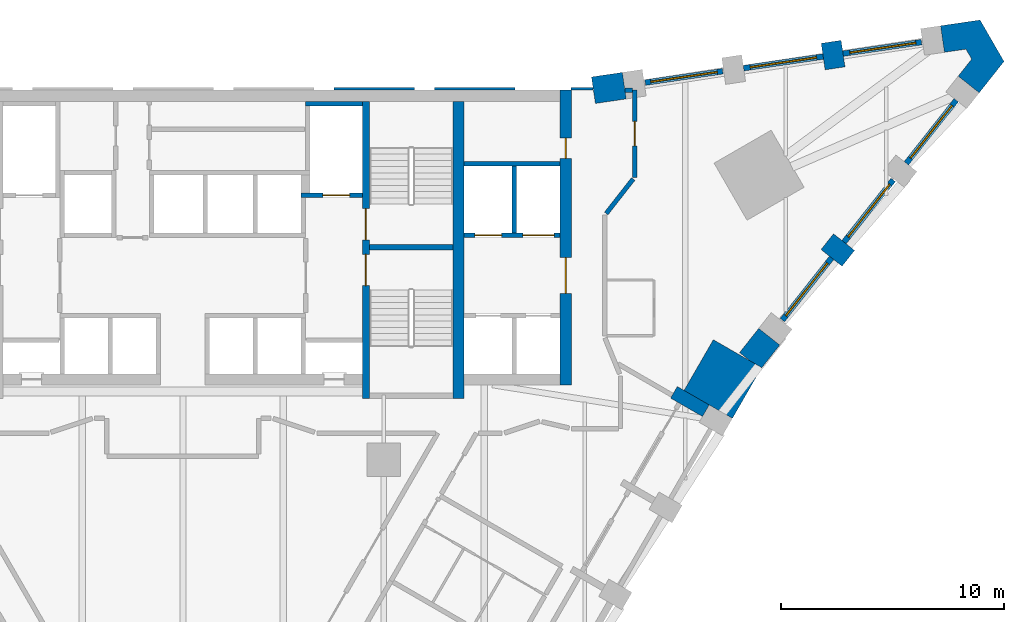
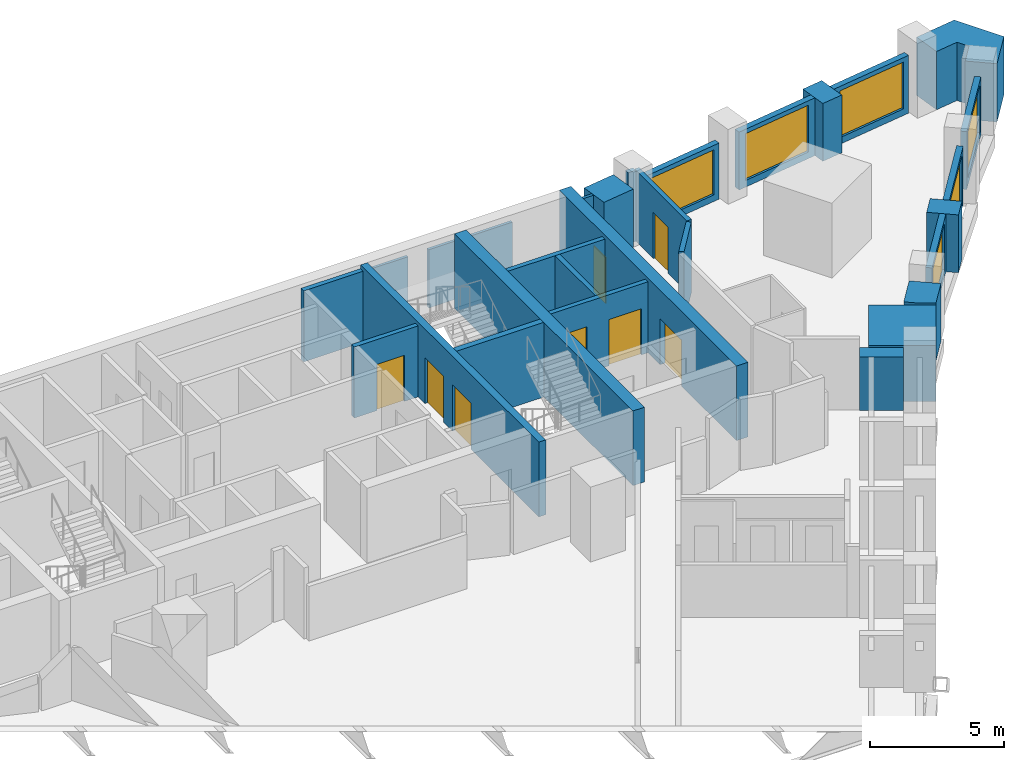
# One storey, part 8 of 10: 28 walls, 8 doors, 6 windows, 14 openings.
"""IFC4 building model written with IfcOpenShell, lengths in metres."""

from ifc_helpers import new_model, si_unit, direction, frame, frame_2d, origin, place, context, subcontext, project, spatial, polyline, rectangle, outline, extrude, material, layer, layer_set, type_object, element, fill, save


model = new_model("IFC4")

# Units and contexts
model_context = context("Model", 3, precision=1e-05, world=origin(), true_north=direction((0.0, 1.0)))
body_context = subcontext(model_context, "Body", "Model", "MODEL_VIEW")
ifc_project = project(units=[si_unit("LENGTHUNIT", "METRE"), si_unit("AREAUNIT", "SQUARE_METRE"), si_unit("VOLUMEUNIT", "CUBIC_METRE"), si_unit("PLANEANGLEUNIT", "RADIAN"), si_unit("MASSUNIT", "GRAM", prefix="KILO")], contexts=[model_context])

# Site, building, storey
site_placement = place(None, origin())
site = spatial("IfcSite", under=ifc_project, at=site_placement, CompositionType="ELEMENT")
building_placement = place(site_placement, origin())
building = spatial("IfcBuilding", under=site, at=building_placement, Name="Calabash Gate Tower", CompositionType="ELEMENT")
storey_placement = place(building_placement, frame((0.0, 0.0, 105.39990234375)))
storey = spatial("IfcBuildingStorey", under=building, at=storey_placement, Name="L23", CompositionType="ELEMENT", Elevation=105.39990234375)

# Walls
ifc_material_1 = material(Name="Terracotta brick masonry, exposed face", Category="masonry")
ifc_layer_1 = layer(ifc_material_1, 2.5)
ifc_layer_set_1 = layer_set([ifc_layer_1], Name="Brick corner mass wall 2500")
wall_type_1 = type_object("IfcWallType", Name="Brick corner mass wall 2500", PredefinedType="SOLIDWALL", material=ifc_layer_set_1)
wall_1_placement = place(storey_placement, origin())
element("IfcWall", 1, at=wall_1_placement, inside=storey, type_object=wall_type_1, Name="Brick corner pier S06 2", PredefinedType="SOLIDWALL", context=body_context, shape_type="SweptSolid", body=[
    extrude(outline(polyline([(23.7578125, 7.878173828125), (22.44677734375, 5.607177734375), (24.61181640625, 4.357177734375), (25.9228515625, 6.628173828125), (23.7578125, 7.878173828125)])), origin(), (0.0, 0.0, 1.0), 2.552001953125),
])
ifc_material_2 = material(Name="Terracotta brick masonry, exposed face", Category="masonry")
ifc_layer_2 = layer(ifc_material_2, 1.199951171875)
ifc_layer_set_2 = layer_set([ifc_layer_2], Name="Brick end wall 1200")
wall_type_2 = type_object("IfcWallType", Name="Brick end wall 1200", PredefinedType="SOLIDWALL", material=ifc_layer_set_2)
for number, where, z_axis, x_axis, name in (
    (2, (29.801513671875, 11.5224609375, 0.0), (0.0, 0.0, 1.0), (-0.784330409431, 0.620343299184, 0.0), "Brick pier S06 wedge3.1"),
    (3, (29.03369140625, 21.217041015625, 0.0), (0.0, 0.0, 1.0), (0.145066385332, -0.989421924078, 0.0), "Brick pier S06 wedge5.1"),
):
    element("IfcWall", number, at=place(storey_placement, frame(where, z_axis=z_axis, x_axis=x_axis)), inside=storey, type_object=wall_type_2, Name=name, PredefinedType="SOLIDWALL", context=body_context, shape_type="SweptSolid", body=[
        extrude(rectangle(XDim=1.199951171875, YDim=0.89990234375, at=frame_2d((0.60009765625, 0.0))), origin(), (0.0, 0.0, 1.0), 2.630126953125),
    ])
wall_2_placement = place(storey_placement, origin())
element("IfcWall", 4, at=wall_2_placement, inside=storey, type_object=wall_type_2, Name="Brick end wall S06 1", PredefinedType="SOLIDWALL", context=body_context, shape_type="SweptSolid", body=[
    extrude(outline(polyline([(25.789794921875, 8.38427734375), (24.9326171875, 7.30029296875), (25.4033203125, 6.92822265625), (25.9228515625, 6.628173828125), (25.901123046875, 6.59033203125), (26.731201171875, 7.639892578125), (25.789794921875, 8.38427734375)])), origin(), (0.0, 0.0, 1.0), 2.630126953125),
])
wall_3_placement = place(storey_placement, origin())
element("IfcWall", 5, at=wall_3_placement, inside=storey, type_object=wall_type_2, Name="Brick end wall S06 2", PredefinedType="SOLIDWALL", context=body_context, shape_type="SweptSolid", body=[
    extrude(outline(polyline([(35.32666015625, 20.443359375), (34.72216796875, 19.678955078125), (35.66357421875, 18.934814453125), (36.773193359375, 20.337890625), (35.701416015625, 22.1943359375), (33.931396484375, 21.934814453125), (34.105224609375, 20.74755859375), (35.069580078125, 20.888916015625), (35.32666015625, 20.443359375)])), origin(), (0.0, 0.0, 1.0), 2.650146484375),
])
wall_4_placement = place(storey_placement, frame((18.38916015625, 19.050537109375, 0.0), z_axis=(0.0, 0.0, 1.0), x_axis=(0.989435994601, 0.144970385211, 0.0)))
element("IfcWall", 6, at=wall_4_placement, inside=storey, type_object=wall_type_2, Name="Brick end wall S06 3", PredefinedType="SOLIDWALL", context=body_context, shape_type="SweptSolid", body=[
    extrude(rectangle(XDim=1.39599609375, YDim=1.199951171875, at=frame_2d((0.697998046875, 0.0))), origin(), (0.0, 0.0, 1.0), 2.650146484375),
])
ifc_material_3 = material(Name="Terracotta brick masonry, exposed face", Category="masonry")
ifc_layer_3 = layer(ifc_material_3, 0.300048828125)
ifc_layer_set_3 = layer_set([ifc_layer_3], Name="Brick loggia cheek wall 300")
wall_type_3 = type_object("IfcWallType", Name="Brick loggia cheek wall 300", PredefinedType="SOLIDWALL", material=ifc_layer_set_3)
wall_5_placement = place(storey_placement, frame((23.422607421875, 4.697265625, 0.0), z_axis=(0.0, 0.0, 1.0), x_axis=(-0.865976140824, 0.500085316245, 0.0)))
element("IfcWall", 7, at=wall_5_placement, inside=storey, type_object=wall_type_3, Name="Loggia cheek S06 SE2.8", PredefinedType="SOLIDWALL", context=body_context, shape_type="SweptSolid", body=[
    extrude(rectangle(XDim=1.650146484375, YDim=0.60009765625, at=frame_2d((0.8251953125, 0.0))), origin(), (0.0, 0.0, 1.0), 2.4501953125),
])
ifc_material_4 = material(Name="Concrete C80/95", Category="concrete")
ifc_layer_4 = layer(ifc_material_4, 0.25)
ifc_layer_set_4 = layer_set([ifc_layer_4], Name="Core wall 250 Concrete C80/95")
wall_type_4 = type_object("IfcWallType", Name="Core wall 250 Concrete C80/95", PredefinedType="SHEAR", material=ifc_layer_set_4)
wall_6_placement = place(storey_placement, frame((8.35009765625, 12.027587890625, 0.0), z_axis=(0.0, 0.0, 1.0), x_axis=(1.0, 0.0, 0.0)))
element("IfcWall", 8, at=wall_6_placement, inside=storey, type_object=wall_type_4, Name="Core wall Z2-MIDE L23", PredefinedType="SHEAR", context=body_context, shape_type="SweptSolid", body=[
    extrude(rectangle(XDim=3.75, YDim=0.25, at=frame_2d((1.875, 0.0))), origin(), (0.0, 0.0, 1.0), 3.400146484375),
])

# Wall, openings, doors
ifc_material_5 = material(Name="Concrete C80/95", Category="concrete")
ifc_layer_5 = layer(ifc_material_5, 0.300048828125)
ifc_layer_set_5 = layer_set([ifc_layer_5], Name="Core wall 300 Concrete C80/95")
wall_type_5 = type_object("IfcWallType", Name="Core wall 300 Concrete C80/95", PredefinedType="SHEAR", material=ifc_layer_set_5)
wall_7_placement = place(storey_placement, frame((8.199951171875, 5.252685546875, 0.0), z_axis=(0.0, 0.0, 1.0), x_axis=(0.0, 1.0, 0.0)))
wall_7 = element("IfcWall", 9, at=wall_7_placement, inside=storey, type_object=wall_type_5, Name="Core wall Z2-PARTE L23", PredefinedType="SHEAR", context=body_context, shape_type="SweptSolid", body=[
    extrude(rectangle(XDim=13.2998046875, YDim=0.300048828125, at=frame_2d((6.64990234375, 0.0))), origin(), (0.0, 0.0, 1.0), 3.400146484375),
])
opening_1_placement = place(wall_7_placement, frame((7.10009765625, 0.0, 0.0)))
opening_1 = element("IfcOpeningElement", 10, at=opening_1_placement, cuts=wall_7, Name="Opening H6-015", PredefinedType="OPENING", context=body_context, shape_type="SweptSolid", body=[
    extrude(rectangle(XDim=1.39990234375, YDim=2.10009765625, at=frame_2d((0.699951171875, 1.050048828125))), frame((0.0, 0.159912109375, 0.0), z_axis=(0.0, -1.0, 0.0), x_axis=(1.0, 0.0, 0.0)), (0.0, 0.0, 1.0), 0.320068359375),
])
opening_2_placement = place(wall_7_placement, frame((5.050048828125, 0.0, 0.0)))
opening_2 = element("IfcOpeningElement", 11, at=opening_2_placement, cuts=wall_7, Name="Opening H6-016", PredefinedType="OPENING", context=body_context, shape_type="SweptSolid", body=[
    extrude(rectangle(XDim=1.39990234375, YDim=2.10009765625, at=frame_2d((0.699951171875, 1.050048828125))), frame((0.0, 0.159912109375, 0.0), z_axis=(0.0, -1.0, 0.0), x_axis=(1.0, 0.0, 0.0)), (0.0, 0.0, 1.0), 0.320068359375),
])
ifc_material_6 = material(Name="Steel fire door set with fire-resisting glazing", Category="steel")
door_type_1 = type_object("IfcDoorType", Name="Fire door D05 1400x2100 FD90", OperationType="NOTDEFINED", PredefinedType="DOOR", material=ifc_material_6)
door_1_placement = place(opening_1_placement, origin())
door_1 = element("IfcDoor", 12, at=door_1_placement, inside=storey, type_object=door_type_1, Name="Exit stair door ST3", OperationType="SINGLE_SWING_RIGHT", OverallHeight=2.10009765625, OverallWidth=1.39990234375, PredefinedType="DOOR", context=body_context, shape_type="SweptSolid", body=[
    extrude(rectangle(XDim=1.39990234375, YDim=2.10009765625, at=frame_2d((0.699951171875, 1.050048828125))), frame((0.0, 0.02490234375, 0.0), z_axis=(0.0, -1.0, 0.0), x_axis=(1.0, 0.0, 0.0)), (0.0, 0.0, 1.0), 0.050048828125),
])
fill(opening_1, door_1)
door_2_placement = place(opening_2_placement, origin())
door_2 = element("IfcDoor", 13, at=door_2_placement, inside=storey, type_object=door_type_1, Name="Exit stair door ST4", OperationType="SINGLE_SWING_LEFT", OverallHeight=2.10009765625, OverallWidth=1.39990234375, PredefinedType="DOOR", context=body_context, shape_type="SweptSolid", body=[
    extrude(rectangle(XDim=1.39990234375, YDim=2.10009765625, at=frame_2d((0.699951171875, 1.050048828125))), frame((0.0, 0.02490234375, 0.0), z_axis=(0.0, -1.0, 0.0), x_axis=(1.0, 0.0, 0.0)), (0.0, 0.0, 1.0), 0.050048828125),
])
fill(opening_2, door_2)

# Wall
ifc_material_7 = material(Name="Concrete C80/95", Category="concrete")
ifc_layer_6 = layer(ifc_material_7, 0.5)
ifc_layer_set_6 = layer_set([ifc_layer_6], Name="Core wall 500 Concrete C80/95")
wall_type_6 = type_object("IfcWallType", Name="Core wall 500 Concrete C80/95", PredefinedType="SHEAR", material=ifc_layer_set_6)
wall_8_placement = place(storey_placement, frame((12.35009765625, 5.252685546875, 0.0), z_axis=(0.0, 0.0, 1.0), x_axis=(0.0, 1.0, 0.0)))
element("IfcWall", 14, at=wall_8_placement, inside=storey, type_object=wall_type_6, Name="Core wall Z2-COLE L23", PredefinedType="SHEAR", context=body_context, shape_type="SweptSolid", body=[
    extrude(rectangle(XDim=13.2998046875, YDim=0.5, at=frame_2d((6.64990234375, 0.0))), origin(), (0.0, 0.0, 1.0), 3.400146484375),
])

# Wall, openings, doors
wall_9_placement = place(storey_placement, frame((17.14990234375, 5.8525390625, 0.0), z_axis=(0.0, 0.0, 1.0), x_axis=(0.0, 1.0, 0.0)))
wall_9 = element("IfcWall", 15, at=wall_9_placement, inside=storey, type_object=wall_type_6, Name="Core wall Z2-ENDE L23", PredefinedType="SHEAR", context=body_context, shape_type="SweptSolid", body=[
    extrude(rectangle(XDim=13.199951171875, YDim=0.5, at=frame_2d((6.60009765625, 0.0))), origin(), (0.0, 0.0, 1.0), 3.400146484375),
])
opening_3_placement = place(wall_9_placement, frame((4.10009765625, 0.0, 0.0)))
opening_3 = element("IfcOpeningElement", 16, at=opening_3_placement, cuts=wall_9, Name="Opening H6-002", PredefinedType="OPENING", context=body_context, shape_type="SweptSolid", body=[
    extrude(rectangle(XDim=1.60009765625, YDim=2.10009765625, at=frame_2d((0.800048828125, 1.050048828125))), frame((0.0, 0.260009765625, 0.0), z_axis=(0.0, -1.0, 0.0), x_axis=(1.0, 0.0, 0.0)), (0.0, 0.0, 1.0), 0.52001953125),
])
opening_4_placement = place(wall_9_placement, frame((10.14990234375, 0.0, 0.0)))
opening_4 = element("IfcOpeningElement", 17, at=opening_4_placement, cuts=wall_9, Name="Opening H6-001", PredefinedType="OPENING", context=body_context, shape_type="SweptSolid", body=[
    extrude(rectangle(XDim=0.89990234375, YDim=2.10009765625, at=frame_2d((0.449951171875, 1.050048828125))), frame((0.0, 0.260009765625, 0.0), z_axis=(0.0, -1.0, 0.0), x_axis=(1.0, 0.0, 0.0)), (0.0, 0.0, 1.0), 0.52001953125),
])
ifc_material_8 = material(Name="Steel fire door set with fire-resisting glazing", Category="steel")
door_type_2 = type_object("IfcDoorType", Name="Double fire door D08 1600x2100 FD60", OperationType="DOUBLE_DOOR_SINGLE_SWING", PredefinedType="DOOR", material=ifc_material_8)
door_3_placement = place(opening_3_placement, origin())
door_3 = element("IfcDoor", 18, at=door_3_placement, inside=storey, type_object=door_type_2, Name="Low-rise Lift Lobby E door", OperationType="DOUBLE_DOOR_SINGLE_SWING", OverallHeight=2.10009765625, OverallWidth=1.60009765625, PredefinedType="DOOR", context=body_context, shape_type="SweptSolid", body=[
    extrude(rectangle(XDim=1.60009765625, YDim=2.10009765625, at=frame_2d((0.800048828125, 1.050048828125))), frame((0.0, 0.02490234375, 0.0), z_axis=(0.0, -1.0, 0.0), x_axis=(1.0, 0.0, 0.0)), (0.0, 0.0, 1.0), 0.050048828125),
])
fill(opening_3, door_3)
ifc_material_9 = material(Name="Steel fire door set with fire-resisting glazing", Category="steel")
door_type_3 = type_object("IfcDoorType", Name="Fire door D06 900x2100 FD60", OperationType="NOTDEFINED", PredefinedType="DOOR", material=ifc_material_9)
door_4_placement = place(opening_4_placement, origin())
door_4 = element("IfcDoor", 19, at=door_4_placement, inside=storey, type_object=door_type_3, Name="Cleaner's Store door", OperationType="SINGLE_SWING_LEFT", OverallHeight=2.10009765625, OverallWidth=0.89990234375, PredefinedType="DOOR", context=body_context, shape_type="SweptSolid", body=[
    extrude(rectangle(XDim=0.89990234375, YDim=2.10009765625, at=frame_2d((0.449951171875, 1.050048828125))), frame((0.0, 0.02490234375, 0.0), z_axis=(0.0, -1.0, 0.0), x_axis=(1.0, 0.0, 0.0)), (0.0, 0.0, 1.0), 0.050048828125),
])
fill(opening_4, door_4)

# Wall
ifc_material_10 = material(Name="Gypsum board on steel studs, mineral wool", Category="steel")
ifc_layer_7 = layer(ifc_material_10, 0.199951171875)
ifc_layer_set_7 = layer_set([ifc_layer_7], Name="Partition 200 gypsum board EI 60")
wall_type_7 = type_object("IfcWallType", Name="Partition 200 gypsum board EI 60", PredefinedType="PARTITIONING", material=ifc_layer_set_7)
wall_10_placement = place(storey_placement, frame((18.962158203125, 13.531005859375, 0.0), z_axis=(0.0, 0.0, 1.0), x_axis=(0.61620743618, 0.787583897497, 0.0)))
element("IfcWall", 20, at=wall_10_placement, inside=storey, type_object=wall_type_7, Name="Partition", PredefinedType="PARTITIONING", context=body_context, shape_type="SweptSolid", body=[
    extrude(rectangle(XDim=1.958740234375, YDim=0.199951171875, at=frame_2d((0.9794921875, 0.0))), origin(), (0.0, 0.0, 1.0), 3.22998046875),
])

# Wall, opening, door
wall_11_placement = place(storey_placement, frame((20.230712890625, 19.052734375, 0.0), z_axis=(0.0, 0.0, 1.0), x_axis=(0.0, -1.0, 0.0)))
wall_11 = element("IfcWall", 21, at=wall_11_placement, inside=storey, type_object=wall_type_7, Name="Partition", PredefinedType="PARTITIONING", context=body_context, shape_type="SweptSolid", body=[
    extrude(rectangle(XDim=3.900146484375, YDim=0.199951171875, at=frame_2d((1.9501953125, 0.0))), origin(), (0.0, 0.0, 1.0), 3.22998046875),
])
opening_5_placement = place(wall_11_placement, frame((1.400146484375, 0.0, 0.0)))
opening_5 = element("IfcOpeningElement", 22, at=opening_5_placement, cuts=wall_11, Name="Opening 22-24-017", PredefinedType="OPENING", context=body_context, shape_type="SweptSolid", body=[
    extrude(rectangle(XDim=1.10009765625, YDim=2.10009765625, at=frame_2d((0.550048828125, 1.050048828125))), frame((0.0, 0.10986328125, 0.0), z_axis=(0.0, -1.0, 0.0), x_axis=(1.0, 0.0, 0.0)), (0.0, 0.0, 1.0), 0.219970703125),
])
ifc_material_11 = material(Name="Steel fire door set with fire-resisting glazing", Category="steel")
door_type_4 = type_object("IfcDoorType", Name="GD3 Suite entrance door 1100x2100", OperationType="NOTDEFINED", PredefinedType="DOOR", material=ifc_material_11)
door_5_placement = place(opening_5_placement, origin())
door_5 = element("IfcDoor", 23, at=door_5_placement, inside=storey, type_object=door_type_4, Name="Suite entrance door", OperationType="SINGLE_SWING_RIGHT", OverallHeight=2.10009765625, OverallWidth=1.10009765625, PredefinedType="DOOR", context=body_context, shape_type="SweptSolid", body=[
    extrude(rectangle(XDim=1.10009765625, YDim=2.10009765625, at=frame_2d((0.550048828125, 1.050048828125))), frame((0.0, 0.02490234375, 0.0), z_axis=(0.0, -1.0, 0.0), x_axis=(1.0, 0.0, 0.0)), (0.0, 0.0, 1.0), 0.050048828125),
])
fill(opening_5, door_5)

# Wall
wall_12_placement = place(storey_placement, frame((19.7998046875, 19.052734375, 0.0), z_axis=(0.0, 0.0, 1.0), x_axis=(1.0, 0.0, 0.0)))
element("IfcWall", 24, at=wall_12_placement, inside=storey, type_object=wall_type_7, Name="Partition", PredefinedType="PARTITIONING", context=body_context, shape_type="SweptSolid", body=[
    extrude(rectangle(XDim=0.3310546875, YDim=0.199951171875, at=frame_2d((0.16552734375, 0.0))), origin(), (0.0, 0.0, 1.0), 3.22998046875),
])

# Wall, opening, window
ifc_material_12 = material(Name="Aluminium framed window wall with insulated spandrel", Category="aluminium")
ifc_layer_8 = layer(ifc_material_12, 0.25)
ifc_layer_set_8 = layer_set([ifc_layer_8], Name="Prow window wall 250")
wall_type_8 = type_object("IfcWallType", Name="Prow window wall 250", PredefinedType="ELEMENTEDWALL", material=ifc_layer_set_8)
wall_13_placement = place(storey_placement, frame((26.849853515625, 8.757080078125, 0.0), z_axis=(0.0, 0.0, 1.0), x_axis=(0.620259189042, 0.784396926568, 0.0)))
wall_13 = element("IfcWall", 25, at=wall_13_placement, inside=storey, type_object=wall_type_8, Name="Prow window wall S06 wedge3.1", PredefinedType="ELEMENTEDWALL", context=body_context, shape_type="SweptSolid", body=[
    extrude(rectangle(XDim=3.552001953125, YDim=0.25, at=frame_2d((1.77587890625, 0.0))), origin(), (0.0, 0.0, 1.0), 2.630126953125),
])
opening_6_placement = place(wall_13_placement, frame((0.25, 0.0, 0.300048828125)))
opening_6 = element("IfcOpeningElement", 26, at=opening_6_placement, cuts=wall_13, Name="Opening WP1L-2130", PredefinedType="OPENING", context=body_context, shape_type="SweptSolid", body=[
    extrude(rectangle(XDim=3.0, YDim=2.1298828125, at=frame_2d((1.5, 1.06494140625))), frame((0.0, 0.135009765625, 0.0), z_axis=(0.0, -1.0, 0.0), x_axis=(1.0, 0.0, 0.0)), (0.0, 0.0, 1.0), 0.27001953125),
])
ifc_material_13 = material(Name="Anodised aluminium frame, bronze finish, impact-rated laminated clear glazing", Category="aluminium")
window_type_1 = type_object("IfcWindowType", Name="Window WP1L 3000x2130", PartitioningType="DOUBLE_PANEL_VERTICAL", PredefinedType="WINDOW", material=ifc_material_13)
window_1_placement = place(opening_6_placement, origin())
window_1 = element("IfcWindow", 27, at=window_1_placement, inside=storey, type_object=window_type_1, Name="Prow window WP1L S06 wedge3.1", OverallHeight=2.1298828125, OverallWidth=3.0, PartitioningType="SINGLE_PANEL", PredefinedType="WINDOW", context=body_context, shape_type="SweptSolid", body=[
    extrude(rectangle(XDim=3.0, YDim=2.1298828125, at=frame_2d((1.5, 1.06494140625))), frame((0.0, 0.030029296875, 0.0), z_axis=(0.0, -1.0, 0.0), x_axis=(1.0, 0.0, 0.0)), (0.0, 0.0, 1.0), 0.06005859375),
])
fill(opening_6, window_1)

wall_14_placement = place(storey_placement, frame((29.60888671875, 12.24609375, 0.0), z_axis=(0.0, 0.0, 1.0), x_axis=(0.620334919108, 0.784337037335, 0.0)))
wall_14 = element("IfcWall", 28, at=wall_14_placement, inside=storey, type_object=wall_type_8, Name="Prow window wall S06 wedge3.2", PredefinedType="ELEMENTEDWALL", context=body_context, shape_type="SweptSolid", body=[
    extrude(rectangle(XDim=3.552001953125, YDim=0.25, at=frame_2d((1.77587890625, 0.0))), origin(), (0.0, 0.0, 1.0), 2.630126953125),
])
opening_7_placement = place(wall_14_placement, frame((0.302001953125, 0.0, 0.300048828125)))
opening_7 = element("IfcOpeningElement", 29, at=opening_7_placement, cuts=wall_14, Name="Opening WP1L-2130", PredefinedType="OPENING", context=body_context, shape_type="SweptSolid", body=[
    extrude(rectangle(XDim=3.0, YDim=2.1298828125, at=frame_2d((1.5, 1.06494140625))), frame((0.0, 0.135009765625, 0.0), z_axis=(0.0, -1.0, 0.0), x_axis=(1.0, 0.0, 0.0)), (0.0, 0.0, 1.0), 0.27001953125),
])
window_2_placement = place(opening_7_placement, origin())
window_2 = element("IfcWindow", 30, at=window_2_placement, inside=storey, type_object=window_type_1, Name="Prow window WP1L S06 wedge3.2", OverallHeight=2.1298828125, OverallWidth=3.0, PartitioningType="SINGLE_PANEL", PredefinedType="WINDOW", context=body_context, shape_type="SweptSolid", body=[
    extrude(rectangle(XDim=3.0, YDim=2.1298828125, at=frame_2d((1.5, 1.06494140625))), frame((0.0, 0.030029296875, 0.0), z_axis=(0.0, -1.0, 0.0), x_axis=(1.0, 0.0, 0.0)), (0.0, 0.0, 1.0), 0.06005859375),
])
fill(opening_7, window_2)

wall_15_placement = place(storey_placement, frame((32.4013671875, 15.77734375, 0.0), z_axis=(0.0, 0.0, 1.0), x_axis=(0.620343299184, 0.784330409431, 0.0)))
wall_15 = element("IfcWall", 31, at=wall_15_placement, inside=storey, type_object=wall_type_8, Name="Prow window wall S06 wedge3.3", PredefinedType="ELEMENTEDWALL", context=body_context, shape_type="SweptSolid", body=[
    extrude(rectangle(XDim=3.599853515625, YDim=0.25, at=frame_2d((1.7998046875, 0.0))), origin(), (0.0, 0.0, 1.0), 2.630126953125),
])
opening_8_placement = place(wall_15_placement, frame((0.300048828125, 0.0, 0.300048828125)))
opening_8 = element("IfcOpeningElement", 32, at=opening_8_placement, cuts=wall_15, Name="Opening WP1L-2130", PredefinedType="OPENING", context=body_context, shape_type="SweptSolid", body=[
    extrude(rectangle(XDim=3.0, YDim=2.1298828125, at=frame_2d((1.5, 1.06494140625))), frame((0.0, 0.135009765625, 0.0), z_axis=(0.0, -1.0, 0.0), x_axis=(1.0, 0.0, 0.0)), (0.0, 0.0, 1.0), 0.27001953125),
])
window_3_placement = place(opening_8_placement, origin())
window_3 = element("IfcWindow", 33, at=window_3_placement, inside=storey, type_object=window_type_1, Name="Prow window WP1L S06 wedge3.3", OverallHeight=2.1298828125, OverallWidth=3.0, PartitioningType="SINGLE_PANEL", PredefinedType="WINDOW", context=body_context, shape_type="SweptSolid", body=[
    extrude(rectangle(XDim=3.0, YDim=2.1298828125, at=frame_2d((1.5, 1.06494140625))), frame((0.0, 0.030029296875, 0.0), z_axis=(0.0, -1.0, 0.0), x_axis=(1.0, 0.0, 0.0)), (0.0, 0.0, 1.0), 0.06005859375),
])
fill(opening_8, window_3)

wall_16_placement = place(storey_placement, frame((33.078369140625, 21.203369140625, 0.0), z_axis=(0.0, 0.0, 1.0), x_axis=(-0.989427410985, -0.145028957081, 0.0)))
wall_16 = element("IfcWall", 34, at=wall_16_placement, inside=storey, type_object=wall_type_8, Name="Prow window wall S06 wedge5.1", PredefinedType="ELEMENTEDWALL", context=body_context, shape_type="SweptSolid", body=[
    extrude(rectangle(XDim=3.552001953125, YDim=0.25, at=frame_2d((1.77587890625, 0.0))), origin(), (0.0, 0.0, 1.0), 2.630126953125),
])
opening_9_placement = place(wall_16_placement, frame((0.25, 0.0, 0.300048828125)))
opening_9 = element("IfcOpeningElement", 35, at=opening_9_placement, cuts=wall_16, Name="Opening WP1L-2130", PredefinedType="OPENING", context=body_context, shape_type="SweptSolid", body=[
    extrude(rectangle(XDim=3.0, YDim=2.1298828125, at=frame_2d((1.5, 1.06494140625))), frame((0.0, 0.135009765625, 0.0), z_axis=(0.0, -1.0, 0.0), x_axis=(1.0, 0.0, 0.0)), (0.0, 0.0, 1.0), 0.27001953125),
])
window_4_placement = place(opening_9_placement, origin())
window_4 = element("IfcWindow", 36, at=window_4_placement, inside=storey, type_object=window_type_1, Name="Prow window WP1L S06 wedge5.1", OverallHeight=2.1298828125, OverallWidth=3.0, PartitioningType="SINGLE_PANEL", PredefinedType="WINDOW", context=body_context, shape_type="SweptSolid", body=[
    extrude(rectangle(XDim=3.0, YDim=2.1298828125, at=frame_2d((1.5, 1.06494140625))), frame((0.0, 0.030029296875, 0.0), z_axis=(0.0, -1.0, 0.0), x_axis=(1.0, 0.0, 0.0)), (0.0, 0.0, 1.0), 0.06005859375),
])
fill(opening_9, window_4)

wall_17_placement = place(storey_placement, frame((28.67529296875, 20.55810546875, 0.0), z_axis=(0.0, 0.0, 1.0), x_axis=(-0.989431656237, -0.144999991846, 0.0)))
wall_17 = element("IfcWall", 37, at=wall_17_placement, inside=storey, type_object=wall_type_8, Name="Prow window wall S06 wedge5.2", PredefinedType="ELEMENTEDWALL", context=body_context, shape_type="SweptSolid", body=[
    extrude(rectangle(XDim=3.599853515625, YDim=0.25, at=frame_2d((1.7998046875, 0.0))), origin(), (0.0, 0.0, 1.0), 2.630126953125),
])
opening_10_placement = place(wall_17_placement, frame((0.300048828125, 0.0, 0.300048828125)))
opening_10 = element("IfcOpeningElement", 38, at=opening_10_placement, cuts=wall_17, Name="Opening WP1L-2130", PredefinedType="OPENING", context=body_context, shape_type="SweptSolid", body=[
    extrude(rectangle(XDim=3.0, YDim=2.1298828125, at=frame_2d((1.5, 1.06494140625))), frame((0.0, 0.135009765625, 0.0), z_axis=(0.0, -1.0, 0.0), x_axis=(1.0, 0.0, 0.0)), (0.0, 0.0, 1.0), 0.27001953125),
])
window_5_placement = place(opening_10_placement, origin())
window_5 = element("IfcWindow", 39, at=window_5_placement, inside=storey, type_object=window_type_1, Name="Prow window WP1L S06 wedge5.2", OverallHeight=2.1298828125, OverallWidth=3.0, PartitioningType="SINGLE_PANEL", PredefinedType="WINDOW", context=body_context, shape_type="SweptSolid", body=[
    extrude(rectangle(XDim=3.0, YDim=2.1298828125, at=frame_2d((1.5, 1.06494140625))), frame((0.0, 0.030029296875, 0.0), z_axis=(0.0, -1.0, 0.0), x_axis=(1.0, 0.0, 0.0)), (0.0, 0.0, 1.0), 0.06005859375),
])
fill(opening_10, window_5)

wall_18_placement = place(storey_placement, frame((24.173583984375, 19.898193359375, 0.0), z_axis=(0.0, 0.0, 1.0), x_axis=(-0.989429597643, -0.145014038315, 0.0)))
wall_18 = element("IfcWall", 40, at=wall_18_placement, inside=storey, type_object=wall_type_8, Name="Prow window wall S06 wedge5.3", PredefinedType="ELEMENTEDWALL", context=body_context, shape_type="SweptSolid", body=[
    extrude(rectangle(XDim=3.500244140625, YDim=0.25, at=frame_2d((1.75, 0.0))), origin(), (0.0, 0.0, 1.0), 2.552001953125),
])
opening_11_placement = place(wall_18_placement, frame((0.25, 0.0, 0.300048828125)))
opening_11 = element("IfcOpeningElement", 41, at=opening_11_placement, cuts=wall_18, Name="Opening WP1L-2050", PredefinedType="OPENING", context=body_context, shape_type="SweptSolid", body=[
    extrude(rectangle(XDim=3.0, YDim=2.050048828125, at=frame_2d((1.5, 1.02490234375))), frame((0.0, 0.135009765625, 0.0), z_axis=(0.0, -1.0, 0.0), x_axis=(1.0, 0.0, 0.0)), (0.0, 0.0, 1.0), 0.27001953125),
])
ifc_material_14 = material(Name="Anodised aluminium frame, bronze finish, impact-rated laminated clear glazing", Category="aluminium")
window_type_2 = type_object("IfcWindowType", Name="Window WP1L 3000x2050", PartitioningType="DOUBLE_PANEL_VERTICAL", PredefinedType="WINDOW", material=ifc_material_14)
window_6_placement = place(opening_11_placement, origin())
window_6 = element("IfcWindow", 42, at=window_6_placement, inside=storey, type_object=window_type_2, Name="Prow window WP1L S06 wedge5.3", OverallHeight=2.050048828125, OverallWidth=3.0, PartitioningType="SINGLE_PANEL", PredefinedType="WINDOW", context=body_context, shape_type="SweptSolid", body=[
    extrude(rectangle(XDim=3.0, YDim=2.050048828125, at=frame_2d((1.5, 1.02490234375))), frame((0.0, 0.030029296875, 0.0), z_axis=(0.0, -1.0, 0.0), x_axis=(1.0, 0.0, 0.0)), (0.0, 0.0, 1.0), 0.06005859375),
])
fill(opening_11, window_6)

# Wall, openings, doors
ifc_material_15 = material(Name="Concrete C40/50", Category="concrete")
ifc_layer_9 = layer(ifc_material_15, 0.199951171875)
ifc_layer_set_9 = layer_set([ifc_layer_9], Name="Shaft wall 200 Concrete C40/50")
wall_type_9 = type_object("IfcWallType", Name="Shaft wall 200 Concrete C40/50", PredefinedType="SOLIDWALL", material=ifc_layer_set_9)
wall_19_placement = place(storey_placement, frame((12.60009765625, 12.552490234375, 0.0), z_axis=(0.0, 0.0, 1.0), x_axis=(1.0, 0.0, 0.0)))
wall_19 = element("IfcWall", 43, at=wall_19_placement, inside=storey, type_object=wall_type_9, Name="Shaft wall", PredefinedType="SOLIDWALL", context=body_context, shape_type="SweptSolid", body=[
    extrude(rectangle(XDim=4.2998046875, YDim=0.199951171875, at=frame_2d((2.14990234375, 0.0))), origin(), (0.0, 0.0, 1.0), 3.22998046875),
])
opening_12_placement = place(wall_19_placement, frame((0.47509765625, 0.0, 0.0)))
opening_12 = element("IfcOpeningElement", 44, at=opening_12_placement, cuts=wall_19, Name="Opening LD-SL1", PredefinedType="OPENING", context=body_context, shape_type="SweptSolid", body=[
    extrude(rectangle(XDim=1.199951171875, YDim=2.10009765625, at=frame_2d((0.60009765625, 1.050048828125))), frame((0.0, 0.10986328125, 0.0), z_axis=(0.0, -1.0, 0.0), x_axis=(1.0, 0.0, 0.0)), (0.0, 0.0, 1.0), 0.219970703125),
])
opening_13_placement = place(wall_19_placement, frame((2.625, 0.0, 0.0)))
opening_13 = element("IfcOpeningElement", 45, at=opening_13_placement, cuts=wall_19, Name="Opening LD-GL1", PredefinedType="OPENING", context=body_context, shape_type="SweptSolid", body=[
    extrude(rectangle(XDim=1.39990234375, YDim=2.10009765625, at=frame_2d((0.699951171875, 1.050048828125))), frame((0.0, 0.10986328125, 0.0), z_axis=(0.0, -1.0, 0.0), x_axis=(1.0, 0.0, 0.0)), (0.0, 0.0, 1.0), 0.219970703125),
])
ifc_material_16 = material(Name="Stainless steel sliding door leaves", Category="steel")
door_type_5 = type_object("IfcDoorType", Name="Lift landing door LS3 1200x2100 FD90", OperationType="DOUBLE_DOOR_SLIDING", PredefinedType="DOOR", material=ifc_material_16)
door_6_placement = place(opening_12_placement, origin())
door_6 = element("IfcDoor", 46, at=door_6_placement, inside=storey, type_object=door_type_5, Name="Lift landing door SL1", OperationType="DOUBLE_DOOR_SLIDING", OverallHeight=2.10009765625, OverallWidth=1.199951171875, PredefinedType="DOOR", context=body_context, shape_type="SweptSolid", body=[
    extrude(rectangle(XDim=1.199951171875, YDim=2.10009765625, at=frame_2d((0.60009765625, 1.050048828125))), frame((0.0, 0.02490234375, 0.0), z_axis=(0.0, -1.0, 0.0), x_axis=(1.0, 0.0, 0.0)), (0.0, 0.0, 1.0), 0.050048828125),
])
fill(opening_12, door_6)
ifc_material_17 = material(Name="Stainless steel sliding door leaves", Category="steel")
door_type_6 = type_object("IfcDoorType", Name="Lift landing door LS4 1400x2100 FD90", OperationType="DOUBLE_DOOR_SLIDING", PredefinedType="DOOR", material=ifc_material_17)
door_7_placement = place(opening_13_placement, origin())
door_7 = element("IfcDoor", 47, at=door_7_placement, inside=storey, type_object=door_type_6, Name="Lift landing door GL1", OperationType="DOUBLE_DOOR_SLIDING", OverallHeight=2.10009765625, OverallWidth=1.39990234375, PredefinedType="DOOR", context=body_context, shape_type="SweptSolid", body=[
    extrude(rectangle(XDim=1.39990234375, YDim=2.10009765625, at=frame_2d((0.699951171875, 1.050048828125))), frame((0.0, 0.02490234375, 0.0), z_axis=(0.0, -1.0, 0.0), x_axis=(1.0, 0.0, 0.0)), (0.0, 0.0, 1.0), 0.050048828125),
])
fill(opening_13, door_7)

# Wall
wall_20_placement = place(storey_placement, frame((14.85009765625, 12.652587890625, 0.0), z_axis=(0.0, 0.0, 1.0), x_axis=(0.0, 1.0, 0.0)))
element("IfcWall", 48, at=wall_20_placement, inside=storey, type_object=wall_type_9, Name="Shaft wall", PredefinedType="SOLIDWALL", context=body_context, shape_type="SweptSolid", body=[
    extrude(rectangle(XDim=3.0, YDim=0.199951171875, at=frame_2d((1.5, 0.0))), origin(), (0.0, 0.0, 1.0), 3.22998046875),
])

# Wall, opening, door
wall_21_placement = place(storey_placement, frame((5.300048828125, 14.3525390625, 0.0), z_axis=(0.0, 0.0, 1.0), x_axis=(1.0, 0.0, 0.0)))
wall_21 = element("IfcWall", 49, at=wall_21_placement, inside=storey, type_object=wall_type_9, Name="Shaft wall", PredefinedType="SOLIDWALL", context=body_context, shape_type="SweptSolid", body=[
    extrude(rectangle(XDim=2.75, YDim=0.199951171875, at=frame_2d((1.375, 0.0))), origin(), (0.0, 0.0, 1.0), 3.22998046875),
])
opening_14_placement = place(wall_21_placement, frame((0.97509765625, 0.0, 0.0)))
opening_14 = element("IfcOpeningElement", 50, at=opening_14_placement, cuts=wall_21, Name="Opening LD-FF2", PredefinedType="OPENING", context=body_context, shape_type="SweptSolid", body=[
    extrude(rectangle(XDim=1.199951171875, YDim=2.10009765625, at=frame_2d((0.60009765625, 1.050048828125))), frame((0.0, 0.10986328125, 0.0), z_axis=(0.0, -1.0, 0.0), x_axis=(1.0, 0.0, 0.0)), (0.0, 0.0, 1.0), 0.219970703125),
])
door_8_placement = place(opening_14_placement, origin())
door_8 = element("IfcDoor", 51, at=door_8_placement, inside=storey, type_object=door_type_5, Name="Lift landing door FF2", OperationType="DOUBLE_DOOR_SLIDING", OverallHeight=2.10009765625, OverallWidth=1.199951171875, PredefinedType="DOOR", context=body_context, shape_type="SweptSolid", body=[
    extrude(rectangle(XDim=1.199951171875, YDim=2.10009765625, at=frame_2d((0.60009765625, 1.050048828125))), frame((0.0, 0.02490234375, 0.0), z_axis=(0.0, -1.0, 0.0), x_axis=(1.0, 0.0, 0.0)), (0.0, 0.0, 1.0), 0.050048828125),
])
fill(opening_14, door_8)

# Walls
wall_22_placement = place(storey_placement, frame((12.60009765625, 15.752685546875, 0.0), z_axis=(0.0, 0.0, 1.0), x_axis=(1.0, 0.0, 0.0)))
element("IfcWall", 52, at=wall_22_placement, inside=storey, type_object=wall_type_9, Name="Shaft wall", PredefinedType="SOLIDWALL", context=body_context, shape_type="SweptSolid", body=[
    extrude(rectangle(XDim=4.2998046875, YDim=0.199951171875, at=frame_2d((2.14990234375, 0.0))), origin(), (0.0, 0.0, 1.0), 3.22998046875),
])
wall_23_placement = place(storey_placement, frame((5.5, 18.45263671875, 0.0), z_axis=(0.0, 0.0, 1.0), x_axis=(1.0, 0.0, 0.0)))
element("IfcWall", 53, at=wall_23_placement, inside=storey, type_object=wall_type_9, Name="Shaft wall", PredefinedType="SOLIDWALL", context=body_context, shape_type="SweptSolid", body=[
    extrude(rectangle(XDim=2.550048828125, YDim=0.199951171875, at=frame_2d((1.27490234375, 0.0))), origin(), (0.0, 0.0, 1.0), 3.22998046875),
])
ifc_material_18 = material(Name="Terracotta brick masonry, perforated", Category="masonry")
ifc_layer_10 = layer(ifc_material_18, 0.1201171875)
ifc_layer_set_10 = layer_set([ifc_layer_10], Name="Terracotta jaali cladding B 120")
wall_type_10 = type_object("IfcWallType", Name="Terracotta jaali cladding B 120", PredefinedType="SOLIDWALL", material=ifc_layer_set_10)
wall_24_placement = place(storey_placement, origin())
element("IfcWall", 54, at=wall_24_placement, inside=storey, type_object=wall_type_10, Name="Jaali cladding S06 N6.1", PredefinedType="SOLIDWALL", context=body_context, shape_type="SweptSolid", body=[
    extrude(outline(polyline([(11.281005859375, 19.172607421875), (11.281005859375, 19.052490234375), (14.880859375, 19.052490234375), (14.880859375, 19.172607421875), (11.281005859375, 19.172607421875)])), origin(), (0.0, 0.0, 1.0), 2.650146484375),
])
wall_25_placement = place(storey_placement, frame((17.38330078125, 19.112548828125, 0.0), z_axis=(0.0, 0.0, 1.0), x_axis=(1.0, 0.0, 0.0)))
element("IfcWall", 55, at=wall_25_placement, inside=storey, type_object=wall_type_10, Name="Jaali cladding S06 N6.c1", PredefinedType="SOLIDWALL", context=body_context, shape_type="SweptSolid", body=[
    extrude(rectangle(XDim=0.989990234375, YDim=0.1201171875, at=frame_2d((0.4951171875, 0.0))), origin(), (0.0, 0.0, 1.0), 2.650146484375),
])
ifc_material_19 = material(Name="Terracotta louvre blades in an aluminium frame", Category="masonry")
ifc_layer_11 = layer(ifc_material_19, 0.1201171875)
ifc_layer_set_11 = layer_set([ifc_layer_11], Name="Terracotta vent louvre cladding 120")
wall_type_11 = type_object("IfcWallType", Name="Terracotta vent louvre cladding 120", PredefinedType="ELEMENTEDWALL", material=ifc_layer_set_11)
wall_26_placement = place(storey_placement, origin())
element("IfcWall", 56, at=wall_26_placement, inside=storey, type_object=wall_type_11, Name="Vent louvre cladding S06 N6.2", PredefinedType="ELEMENTEDWALL", context=body_context, shape_type="SweptSolid", body=[
    extrude(outline(polyline([(6.781005859375, 19.172607421875), (6.781005859375, 19.052490234375), (10.380859375, 19.052490234375), (10.380859375, 19.172607421875), (6.781005859375, 19.172607421875)])), origin(), (0.0, 0.0, 1.0), 2.650146484375),
])

save(model, "model.ifc")
